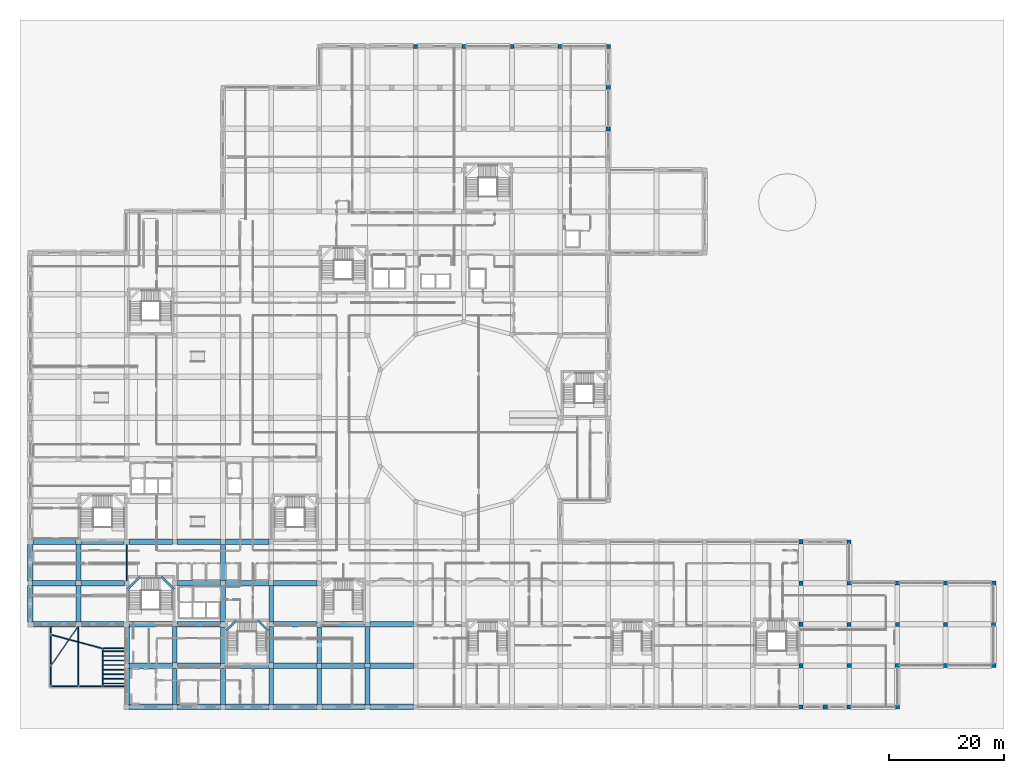
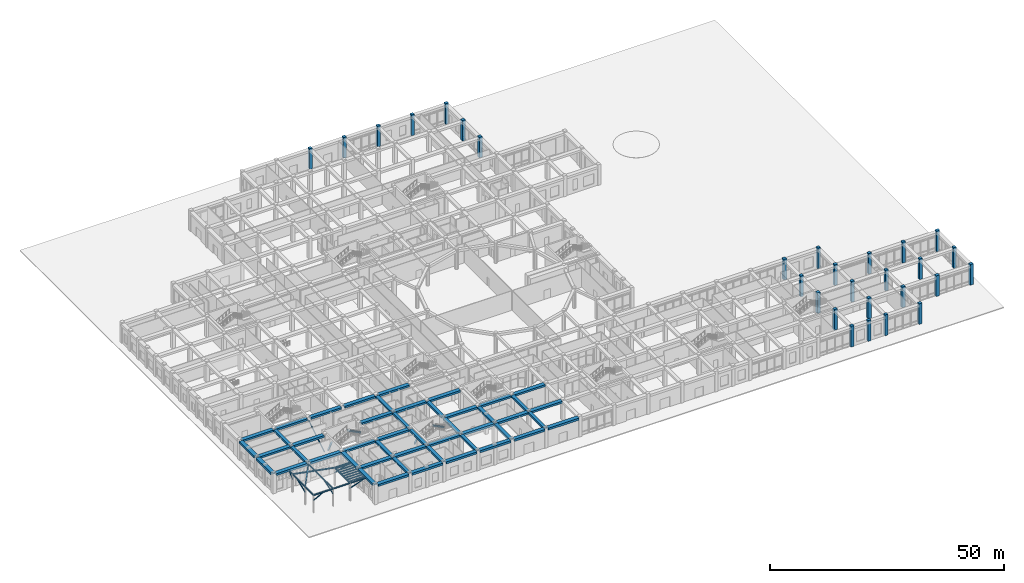
# One storey, part 3 of 84: 70 beams, 28 columns, 7 members.
"""IFC4 building model written with IfcOpenShell, lengths in metres."""

from ifc_helpers import new_model, si_unit, derived_unit, direction, frame, origin, origin_2d, place, context, subcontext, project, spatial, rectangle, hollow_circle, i_section, extrude, material, material_profile, profile_set, type_object, element, save


model = new_model("IFC4")

# Units and contexts
model_context = context("Model", 3, precision=1e-05, world=origin(), true_north=direction((0.0, 1.0)))
body_context = subcontext(model_context, "Body", "Model", "MODEL_VIEW")
ifc_project = project(units=[si_unit("LENGTHUNIT", "METRE"), si_unit("AREAUNIT", "SQUARE_METRE"), si_unit("VOLUMEUNIT", "CUBIC_METRE"), si_unit("PLANEANGLEUNIT", "RADIAN"), si_unit("MASSUNIT", "GRAM", prefix="KILO"), derived_unit("THERMALTRANSMITTANCEUNIT", [(si_unit("POWERUNIT", "WATT"), 1), (si_unit("LENGTHUNIT", "METRE"), -2), (si_unit("THERMODYNAMICTEMPERATUREUNIT", "KELVIN"), -1)])], contexts=[model_context])

# Site, building, storey
site_placement = place(None, origin())
site = spatial("IfcSite", under=ifc_project, at=site_placement, CompositionType="ELEMENT")
building_placement = place(site_placement, origin())
building = spatial("IfcBuilding", under=site, at=building_placement, Name="Veybourne Emporium", CompositionType="ELEMENT")
storey_placement = place(building_placement, origin())
storey = spatial("IfcBuildingStorey", under=building, at=storey_placement, Name="L00", CompositionType="ELEMENT", Elevation=0.0)

# Columns
ifc_material_1 = material(Name="Concrete C40/50", Category="concrete")
ifc_material_profile_1 = material_profile(ifc_material_1, rectangle(XDim=0.75, YDim=0.75, at=origin_2d()), Name="RC 750x750")
ifc_profile_set_1 = profile_set([ifc_material_profile_1], Name="Concrete C40/50")
column_type_1 = type_object("IfcColumnType", Name="Col_C-03", PredefinedType="COLUMN", material=ifc_profile_set_1)
for number, where, z_axis, x_axis, name in (
    (1, (100.800048828125, 100.800048828125, 0.0), (0.0, 0.0, 1.0), (1.0, 0.0, 0.0), "Column C-03 L00 (12,14)"),
    (2, (134.39990234375, 7.199951171875, 0.0), (0.0, 0.0, 1.0), (1.0, 0.0, 0.0), "Column C-03 L00 (16,1)"),
    (3, (134.39990234375, 14.39990234375, 0.0), (0.0, 0.0, 1.0), (1.0, 0.0, 0.0), "Column C-03 L00 (16,2)"),
    (4, (134.39990234375, 21.60009765625, 0.0), (0.0, 0.0, 1.0), (1.0, 0.0, 0.0), "Column C-03 L00 (16,3)"),
    (5, (134.39990234375, 28.800048828125, 0.0), (0.0, 0.0, 1.0), (1.0, 0.0, 0.0), "Column C-03 L00 (16,4)"),
):
    element("IfcColumn", number, at=place(storey_placement, frame(where, z_axis=z_axis, x_axis=x_axis)), inside=storey, type_object=column_type_1, Name=name, PredefinedType="COLUMN", context=body_context, shape_type="SweptSolid", body=[
        extrude(rectangle(XDim=0.75, YDim=0.75, at=origin_2d()), origin(), (0.0, 0.0, 1.0), 5.39990234375),
    ])
ifc_material_profile_2 = material_profile(ifc_material_1, rectangle(XDim=0.699951171875, YDim=0.699951171875, at=origin_2d()), Name="RC 700x700")
ifc_profile_set_2 = profile_set([ifc_material_profile_2], Name="Concrete C40/50")
column_type_2 = type_object("IfcColumnType", Name="Col_C-04", PredefinedType="COLUMN", material=ifc_profile_set_2)
for number, where, z_axis, x_axis, name in (
    (6, (142.800048828125, 14.39990234375, 0.0), (0.0, 0.0, 1.0), (1.0, 0.0, 0.0), "Column C-04 L00 (17,2)"),
    (7, (142.800048828125, 28.800048828125, 0.0), (0.0, 0.0, 1.0), (1.0, 0.0, 0.0), "Column C-04 L00 (17,4)"),
    (8, (151.199951171875, 14.39990234375, 0.0), (0.0, 0.0, 1.0), (1.0, 0.0, 0.0), "Column C-04 L00 (18,2)"),
    (9, (159.60009765625, 14.39990234375, 0.0), (0.0, 0.0, 1.0), (1.0, 0.0, 0.0), "Column C-04 L00 (19,2)"),
):
    element("IfcColumn", number, at=place(storey_placement, frame(where, z_axis=z_axis, x_axis=x_axis)), inside=storey, type_object=column_type_2, Name=name, PredefinedType="COLUMN", context=body_context, shape_type="SweptSolid", body=[
        extrude(rectangle(XDim=0.699951171875, YDim=0.699951171875, at=origin_2d()), origin(), (0.0, 0.0, 1.0), 5.39990234375),
    ])
ifc_material_profile_3 = material_profile(ifc_material_1, rectangle(XDim=0.780029296875, YDim=0.719970703125, at=origin_2d()), Name="RC 780x720")
ifc_profile_set_3 = profile_set([ifc_material_profile_3], Name="Concrete C40/50")
column_type_3 = type_object("IfcColumnType", Name="Col_C-11", PredefinedType="PILASTER", material=ifc_profile_set_3)
for number, where, z_axis, x_axis, name in (
    (10, (100.800048828125, 108.0, 0.0), (0.0, 0.0, 1.0), (1.0, 0.0, 0.0), "Column C-11 L00 (12,15)"),
    (11, (142.800048828125, 7.199951171875, 0.0), (0.0, 0.0, 1.0), (1.0, 0.0, 0.0), "Column C-11 L00 (17,1)"),
    (12, (142.800048828125, 21.60009765625, 0.0), (0.0, 0.0, 1.0), (1.0, 0.0, 0.0), "Column C-11 L00 (17,3)"),
    (13, (151.199951171875, 7.199951171875, 0.0), (0.0, 0.0, 1.0), (1.0, 0.0, 0.0), "Column C-11 L00 (18,1)"),
    (14, (151.199951171875, 21.60009765625, 0.0), (0.0, 0.0, 1.0), (1.0, 0.0, 0.0), "Column C-11 L00 (18,3)"),
    (15, (159.60009765625, 7.199951171875, 0.0), (0.0, 0.0, 1.0), (1.0, 0.0, 0.0), "Column C-11 L00 (19,1)"),
    (16, (159.60009765625, 21.60009765625, 0.0), (0.0, 0.0, 1.0), (1.0, 0.0, 0.0), "Column C-11 L00 (19,3)"),
):
    element("IfcColumn", number, at=place(storey_placement, frame(where, z_axis=z_axis, x_axis=x_axis)), inside=storey, type_object=column_type_3, Name=name, PredefinedType="PILASTER", context=body_context, shape_type="SweptSolid", body=[
        extrude(rectangle(XDim=0.780029296875, YDim=0.719970703125, at=origin_2d()), origin(), (0.0, 0.0, 1.0), 5.39990234375),
    ])
ifc_material_profile_4 = material_profile(ifc_material_1, rectangle(XDim=0.75, YDim=0.75, at=origin_2d()), Name="RC 750x750")
ifc_profile_set_4 = profile_set([ifc_material_profile_4], Name="Concrete C40/50")
column_type_4 = type_object("IfcColumnType", Name="Col_CE-03", PredefinedType="COLUMN", material=ifc_profile_set_4)
column_placement = place(storey_placement, frame((134.39990234375, 0.0, 0.0), z_axis=(0.0, 0.0, 1.0), x_axis=(1.0, 0.0, 0.0)))
element("IfcColumn", 17, at=column_placement, inside=storey, type_object=column_type_4, Name="Column CE-03 L00 (16,0)", PredefinedType="COLUMN", context=body_context, shape_type="SweptSolid", body=[
    extrude(rectangle(XDim=0.75, YDim=0.75, at=origin_2d()), origin(), (0.0, 0.0, 1.0), 5.39990234375),
])
ifc_material_profile_5 = material_profile(ifc_material_1, rectangle(XDim=0.699951171875, YDim=0.699951171875, at=origin_2d()), Name="RC 700x700")
ifc_profile_set_5 = profile_set([ifc_material_profile_5], Name="Concrete C40/50")
column_type_5 = type_object("IfcColumnType", Name="Col_CE-04", PredefinedType="COLUMN", material=ifc_profile_set_5)
for number, where, z_axis, x_axis, name in (
    (18, (67.199951171875, 115.199951171875, 0.0), (0.0, 0.0, 1.0), (1.0, 0.0, 0.0), "Column CE-04 L00 (8,16)"),
    (19, (75.60009765625, 115.199951171875, 0.0), (0.0, 0.0, 1.0), (1.0, 0.0, 0.0), "Column CE-04 L00 (9,16)"),
    (20, (84.0, 115.199951171875, 0.0), (0.0, 0.0, 1.0), (1.0, 0.0, 0.0), "Column CE-04 L00 (10,16)"),
    (21, (92.39990234375, 115.199951171875, 0.0), (0.0, 0.0, 1.0), (1.0, 0.0, 0.0), "Column CE-04 L00 (11,16)"),
    (22, (100.800048828125, 115.199951171875, 0.0), (0.0, 0.0, 1.0), (1.0, 0.0, 0.0), "Column CE-04 L00 (12,16)"),
    (23, (142.800048828125, 0.0, 0.0), (0.0, 0.0, 1.0), (1.0, 0.0, 0.0), "Column CE-04 L00 (17,0)"),
    (24, (151.199951171875, 0.0, 0.0), (0.0, 0.0, 1.0), (1.0, 0.0, 0.0), "Column CE-04 L00 (18,0)"),
    (25, (168.0, 14.39990234375, 0.0), (0.0, 0.0, 1.0), (1.0, 0.0, 0.0), "Column CE-04 L00 (20,2)"),
):
    element("IfcColumn", number, at=place(storey_placement, frame(where, z_axis=z_axis, x_axis=x_axis)), inside=storey, type_object=column_type_5, Name=name, PredefinedType="COLUMN", context=body_context, shape_type="SweptSolid", body=[
        extrude(rectangle(XDim=0.699951171875, YDim=0.699951171875, at=origin_2d()), origin(), (0.0, 0.0, 1.0), 5.39990234375),
    ])
ifc_material_profile_6 = material_profile(ifc_material_1, rectangle(XDim=0.780029296875, YDim=0.719970703125, at=origin_2d()), Name="RC 780x720")
ifc_profile_set_6 = profile_set([ifc_material_profile_6], Name="Concrete C40/50")
column_type_6 = type_object("IfcColumnType", Name="Col_CE-11", PredefinedType="PILASTER", material=ifc_profile_set_6)
for number, where, z_axis, x_axis, name in (
    (26, (168.0, 7.199951171875, 0.0), (0.0, 0.0, 1.0), (1.0, 0.0, 0.0), "Column CE-11 L00 (20,1)"),
    (27, (168.0, 21.60009765625, 0.0), (0.0, 0.0, 1.0), (1.0, 0.0, 0.0), "Column CE-11 L00 (20,3)"),
    (28, (138.60009765625, 0.0, 0.0), (0.0, 0.0, 1.0), (1.0, 0.0, 0.0), "Fluted stone pilaster CE-11 L00-17"),
):
    element("IfcColumn", number, at=place(storey_placement, frame(where, z_axis=z_axis, x_axis=x_axis)), inside=storey, type_object=column_type_6, Name=name, PredefinedType="PILASTER", context=body_context, shape_type="SweptSolid", body=[
        extrude(rectangle(XDim=0.780029296875, YDim=0.719970703125, at=origin_2d()), origin(), (0.0, 0.0, 1.0), 5.39990234375),
    ])

# Beams
ifc_material_2 = material(Name="Concrete C32/40", Category="concrete")
ifc_material_profile_7 = material_profile(ifc_material_2, rectangle(XDim=0.35009765625, YDim=0.35009765625, at=origin_2d()), Name="RC 350x350")
ifc_profile_set_7 = profile_set([ifc_material_profile_7], Name="Concrete C32/40")
beam_type_1 = type_object("IfcBeamType", Name="LandingBeam_LB-01", PredefinedType="BEAM", material=ifc_profile_set_7)
for number, where, z_axis, x_axis, name in (
    (29, (16.949951171875, 20.52001953125, 1.425048828125), (0.707106781187, 0.707106781187, 0.0), (-0.707106781187, 0.707106781187, 0.0), "L00 ST-01 landing 1 support beam"),
    (30, (22.8701171875, 22.699951171875, 3.22509765625), (0.707106781187, -0.707106781187, 0.0), (0.707106781187, 0.707106781187, 0.0), "L00 ST-01 landing 2 support beam"),
):
    element("IfcBeam", number, at=place(storey_placement, frame(where, z_axis=z_axis, x_axis=x_axis)), inside=storey, type_object=beam_type_1, Name=name, PredefinedType="BEAM", context=body_context, shape_type="SweptSolid", body=[
        extrude(rectangle(XDim=0.35009765625, YDim=0.35009765625, at=origin_2d()), origin(), (0.0, 0.0, 1.0), 3.0830078125),
    ])
for number, where, z_axis, x_axis, name in (
    (31, (34.14990234375, 13.320068359375, 1.445068359375), (0.707106781187, 0.707106781187, 0.0), (-0.707106781187, 0.707106781187, 0.0), "L00 ST-12 landing 1 support beam"),
    (32, (39.669921875, 15.10009765625, 3.2451171875), (0.707106781187, -0.707106781187, 0.0), (0.707106781187, 0.707106781187, 0.0), "L00 ST-12 landing 2 support beam"),
):
    element("IfcBeam", number, at=place(storey_placement, frame(where, z_axis=z_axis, x_axis=x_axis)), inside=storey, type_object=beam_type_1, Name=name, PredefinedType="BEAM", context=body_context, shape_type="SweptSolid", body=[
        extrude(rectangle(XDim=0.35009765625, YDim=0.35009765625, at=origin_2d()), origin(), (0.0, 0.0, 1.0), 2.517333984375),
    ])
ifc_material_profile_8 = material_profile(ifc_material_2, rectangle(XDim=0.949951171875, YDim=0.5, at=origin_2d()), Name="RC 950x500")
ifc_profile_set_8 = profile_set([ifc_material_profile_8], Name="Concrete C32/40")
beam_type_2 = type_object("IfcBeamType", Name="RCBeam_BB-01", PredefinedType="BEAM", material=ifc_profile_set_8)
beam_1_placement = place(storey_placement, frame((0.39990234375, 21.60009765625, 4.830078125), z_axis=(1.0, 0.0, 0.0), x_axis=(0.0, 1.0, 0.0)))
element("IfcBeam", 33, at=beam_1_placement, inside=storey, type_object=beam_type_2, Name="L00 X-grid beam BB-01 (0,3)", PredefinedType="BEAM", context=body_context, shape_type="SweptSolid", body=[
    extrude(rectangle(XDim=0.949951171875, YDim=0.5, at=origin_2d()), origin(), (0.0, 0.0, 1.0), 7.5751953125),
])
for number, where, z_axis, x_axis, name in (
    (34, (0.425048828125, 28.800048828125, 4.830078125), (1.0, 0.0, 0.0), (0.0, 1.0, 0.0), "L00 X-grid beam BB-01 (0,4)"),
    (35, (8.824951171875, 21.60009765625, 4.830078125), (1.0, 0.0, 0.0), (0.0, 1.0, 0.0), "L00 X-grid beam BB-01 (1,3)"),
    (36, (8.800048828125, 28.800048828125, 4.830078125), (1.0, 0.0, 0.0), (0.0, 1.0, 0.0), "L00 X-grid beam BB-01 (1,4)"),
    (37, (17.199951171875, 7.199951171875, 4.830078125), (1.0, 0.0, 0.0), (0.0, 1.0, 0.0), "L00 X-grid beam BB-01 (2,1)"),
    (38, (17.22509765625, 14.39990234375, 4.830078125), (1.0, 0.0, 0.0), (0.0, 1.0, 0.0), "L00 X-grid beam BB-01 (2,2)"),
    (39, (17.22509765625, 28.800048828125, 4.830078125), (1.0, 0.0, 0.0), (0.0, 1.0, 0.0), "L00 X-grid beam BB-01 (2,4)"),
    (40, (25.625, 7.199951171875, 4.830078125), (1.0, 0.0, 0.0), (0.0, 1.0, 0.0), "L00 X-grid beam BB-01 (3,1)"),
    (41, (25.60009765625, 14.39990234375, 4.830078125), (1.0, 0.0, 0.0), (0.0, 1.0, 0.0), "L00 X-grid beam BB-01 (3,2)"),
    (42, (25.625, 21.60009765625, 4.830078125), (1.0, 0.0, 0.0), (0.0, 1.0, 0.0), "L00 X-grid beam BB-01 (3,3)"),
    (43, (25.60009765625, 28.800048828125, 4.830078125), (1.0, 0.0, 0.0), (0.0, 1.0, 0.0), "L00 X-grid beam BB-01 (3,4)"),
    (44, (34.0, 7.199951171875, 4.830078125), (1.0, 0.0, 0.0), (0.0, 1.0, 0.0), "L00 X-grid beam BB-01 (4,1)"),
    (45, (34.0, 21.60009765625, 4.830078125), (1.0, 0.0, 0.0), (0.0, 1.0, 0.0), "L00 X-grid beam BB-01 (4,3)"),
):
    element("IfcBeam", number, at=place(storey_placement, frame(where, z_axis=z_axis, x_axis=x_axis)), inside=storey, type_object=beam_type_2, Name=name, PredefinedType="BEAM", context=body_context, shape_type="SweptSolid", body=[
        extrude(rectangle(XDim=0.949951171875, YDim=0.5, at=origin_2d()), origin(), (0.0, 0.0, 1.0), 7.574951171875),
    ])
beam_2_placement = place(storey_placement, frame((34.02490234375, 28.800048828125, 4.830078125), z_axis=(1.0, 0.0, 0.0), x_axis=(0.0, 1.0, 0.0)))
element("IfcBeam", 46, at=beam_2_placement, inside=storey, type_object=beam_type_2, Name="L00 X-grid beam BB-01 (4,4)", PredefinedType="BEAM", context=body_context, shape_type="SweptSolid", body=[
    extrude(rectangle(XDim=0.949951171875, YDim=0.5, at=origin_2d()), origin(), (0.0, 0.0, 1.0), 7.5751953125),
])
beam_3_placement = place(storey_placement, frame((42.425048828125, 7.199951171875, 4.830078125), z_axis=(1.0, 0.0, 0.0), x_axis=(0.0, 1.0, 0.0)))
element("IfcBeam", 47, at=beam_3_placement, inside=storey, type_object=beam_type_2, Name="L00 X-grid beam BB-01 (5,1)", PredefinedType="BEAM", context=body_context, shape_type="SweptSolid", body=[
    extrude(rectangle(XDim=0.949951171875, YDim=0.5, at=origin_2d()), origin(), (0.0, 0.0, 1.0), 7.574951171875),
])
beam_4_placement = place(storey_placement, frame((42.39990234375, 14.39990234375, 4.830078125), z_axis=(1.0, 0.0, 0.0), x_axis=(0.0, 1.0, 0.0)))
element("IfcBeam", 48, at=beam_4_placement, inside=storey, type_object=beam_type_2, Name="L00 X-grid beam BB-01 (5,2)", PredefinedType="BEAM", context=body_context, shape_type="SweptSolid", body=[
    extrude(rectangle(XDim=0.949951171875, YDim=0.5, at=origin_2d()), origin(), (0.0, 0.0, 1.0), 7.5751953125),
])
beam_5_placement = place(storey_placement, frame((42.425048828125, 21.60009765625, 4.830078125), z_axis=(1.0, 0.0, 0.0), x_axis=(0.0, 1.0, 0.0)))
element("IfcBeam", 49, at=beam_5_placement, inside=storey, type_object=beam_type_2, Name="L00 X-grid beam BB-01 (5,3)", PredefinedType="BEAM", context=body_context, shape_type="SweptSolid", body=[
    extrude(rectangle(XDim=0.949951171875, YDim=0.5, at=origin_2d()), origin(), (0.0, 0.0, 1.0), 7.574951171875),
])
beam_6_placement = place(storey_placement, frame((50.800048828125, 7.199951171875, 4.830078125), z_axis=(1.0, 0.0, 0.0), x_axis=(0.0, 1.0, 0.0)))
element("IfcBeam", 50, at=beam_6_placement, inside=storey, type_object=beam_type_2, Name="L00 X-grid beam BB-01 (6,1)", PredefinedType="BEAM", context=body_context, shape_type="SweptSolid", body=[
    extrude(rectangle(XDim=0.949951171875, YDim=0.5, at=origin_2d()), origin(), (0.0, 0.0, 1.0), 7.599853515625),
])
beam_7_placement = place(storey_placement, frame((50.824951171875, 14.39990234375, 4.830078125), z_axis=(1.0, 0.0, 0.0), x_axis=(0.0, 1.0, 0.0)))
element("IfcBeam", 51, at=beam_7_placement, inside=storey, type_object=beam_type_2, Name="L00 X-grid beam BB-01 (6,2)", PredefinedType="BEAM", context=body_context, shape_type="SweptSolid", body=[
    extrude(rectangle(XDim=0.949951171875, YDim=0.5, at=origin_2d()), origin(), (0.0, 0.0, 1.0), 7.574951171875),
])
for number, where, z_axis, x_axis, name in (
    (52, (59.199951171875, 7.199951171875, 4.830078125), (1.0, 0.0, 0.0), (0.0, 1.0, 0.0), "L00 X-grid beam BB-01 (7,1)"),
    (53, (59.199951171875, 14.39990234375, 4.830078125), (1.0, 0.0, 0.0), (0.0, 1.0, 0.0), "L00 X-grid beam BB-01 (7,2)"),
):
    element("IfcBeam", number, at=place(storey_placement, frame(where, z_axis=z_axis, x_axis=x_axis)), inside=storey, type_object=beam_type_2, Name=name, PredefinedType="BEAM", context=body_context, shape_type="SweptSolid", body=[
        extrude(rectangle(XDim=0.949951171875, YDim=0.5, at=origin_2d()), origin(), (0.0, 0.0, 1.0), 7.625),
    ])
ifc_material_profile_9 = material_profile(ifc_material_2, rectangle(XDim=0.800048828125, YDim=0.5, at=origin_2d()), Name="RC 800x500")
ifc_profile_set_9 = profile_set([ifc_material_profile_9], Name="Concrete C32/40")
beam_type_3 = type_object("IfcBeamType", Name="RCBeam_BB-02", PredefinedType="BEAM", material=ifc_profile_set_9)
for number, where, z_axis, x_axis, name in (
    (54, (8.39990234375, 14.800048828125, 4.830078125), (0.0, 1.0, 0.0), (-1.0, 0.0, 0.0), "L00 Y-grid beam BB-02 (1,2)"),
    (55, (8.39990234375, 22.02490234375, 4.830078125), (0.0, 1.0, 0.0), (-1.0, 0.0, 0.0), "L00 Y-grid beam BB-02 (1,3)"),
    (56, (25.199951171875, 0.39990234375, 4.830078125), (0.0, 1.0, 0.0), (-1.0, 0.0, 0.0), "L00 Y-grid beam BB-02 (3,0)"),
    (57, (25.199951171875, 7.625, 4.830078125), (0.0, 1.0, 0.0), (-1.0, 0.0, 0.0), "L00 Y-grid beam BB-02 (3,1)"),
    (58, (33.60009765625, 0.425048828125, 4.830078125), (0.0, 1.0, 0.0), (-1.0, 0.0, 0.0), "L00 Y-grid beam BB-02 (4,0)"),
    (59, (33.60009765625, 7.60009765625, 4.830078125), (0.0, 1.0, 0.0), (-1.0, 0.0, 0.0), "L00 Y-grid beam BB-02 (4,1)"),
    (60, (33.60009765625, 14.824951171875, 4.830078125), (0.0, 1.0, 0.0), (-1.0, 0.0, 0.0), "L00 Y-grid beam BB-02 (4,2)"),
    (61, (33.60009765625, 22.0, 4.830078125), (0.0, 1.0, 0.0), (-1.0, 0.0, 0.0), "L00 Y-grid beam BB-02 (4,3)"),
    (62, (42.0, 0.39990234375, 4.830078125), (0.0, 1.0, 0.0), (-1.0, 0.0, 0.0), "L00 Y-grid beam BB-02 (5,0)"),
    (63, (42.0, 7.625, 4.830078125), (0.0, 1.0, 0.0), (-1.0, 0.0, 0.0), "L00 Y-grid beam BB-02 (5,1)"),
    (64, (42.0, 14.800048828125, 4.830078125), (0.0, 1.0, 0.0), (-1.0, 0.0, 0.0), "L00 Y-grid beam BB-02 (5,2)"),
    (65, (50.39990234375, 0.425048828125, 4.830078125), (0.0, 1.0, 0.0), (-1.0, 0.0, 0.0), "L00 Y-grid beam BB-02 (6,0)"),
    (66, (50.39990234375, 7.60009765625, 4.830078125), (0.0, 1.0, 0.0), (-1.0, 0.0, 0.0), "L00 Y-grid beam BB-02 (6,1)"),
):
    element("IfcBeam", number, at=place(storey_placement, frame(where, z_axis=z_axis, x_axis=x_axis)), inside=storey, type_object=beam_type_3, Name=name, PredefinedType="BEAM", context=body_context, shape_type="SweptSolid", body=[
        extrude(rectangle(XDim=0.800048828125, YDim=0.5, at=origin_2d()), origin(), (0.0, 0.0, 1.0), 6.375),
    ])
for number, where, z_axis, x_axis, name in (
    (67, (58.800048828125, 0.35009765625, 4.830078125), (0.0, 1.0, 0.0), (-1.0, 0.0, 0.0), "L00 Y-grid beam BB-02 (7,0)"),
    (68, (58.800048828125, 7.550048828125, 4.830078125), (0.0, 1.0, 0.0), (-1.0, 0.0, 0.0), "L00 Y-grid beam BB-02 (7,1)"),
):
    element("IfcBeam", number, at=place(storey_placement, frame(where, z_axis=z_axis, x_axis=x_axis)), inside=storey, type_object=beam_type_3, Name=name, PredefinedType="BEAM", context=body_context, shape_type="SweptSolid", body=[
        extrude(rectangle(XDim=0.800048828125, YDim=0.5, at=origin_2d()), origin(), (0.0, 0.0, 1.0), 6.5),
    ])
ifc_material_profile_10 = material_profile(ifc_material_2, rectangle(XDim=0.949951171875, YDim=0.550048828125, at=origin_2d()), Name="RC 950x550")
ifc_profile_set_10 = profile_set([ifc_material_profile_10], Name="Concrete C32/40")
beam_type_4 = type_object("IfcBeamType", Name="RCBeam_EB-01", PredefinedType="SPANDREL", material=ifc_profile_set_10)
for number, where, z_axis, x_axis, name in (
    (69, (0.425048828125, 14.39990234375, 4.804931640625), (1.0, 0.0, 0.0), (0.0, 1.0, 0.0), "L00 X-grid beam EB-01 (0,2)"),
    (70, (8.800048828125, 14.39990234375, 4.804931640625), (1.0, 0.0, 0.0), (0.0, 1.0, 0.0), "L00 X-grid beam EB-01 (1,2)"),
    (71, (17.22509765625, 0.0, 4.804931640625), (1.0, 0.0, 0.0), (0.0, 1.0, 0.0), "L00 X-grid beam EB-01 (2,0)"),
    (72, (25.60009765625, 0.0, 4.804931640625), (1.0, 0.0, 0.0), (0.0, 1.0, 0.0), "L00 X-grid beam EB-01 (3,0)"),
):
    element("IfcBeam", number, at=place(storey_placement, frame(where, z_axis=z_axis, x_axis=x_axis)), inside=storey, type_object=beam_type_4, Name=name, PredefinedType="SPANDREL", context=body_context, shape_type="SweptSolid", body=[
        extrude(rectangle(XDim=0.949951171875, YDim=0.550048828125, at=origin_2d()), origin(), (0.0, 0.0, 1.0), 7.574951171875),
    ])
for number, where, z_axis, x_axis, name in (
    (73, (34.02490234375, 0.0, 4.804931640625), (1.0, 0.0, 0.0), (0.0, 1.0, 0.0), "L00 X-grid beam EB-01 (4,0)"),
    (74, (42.39990234375, 0.0, 4.804931640625), (1.0, 0.0, 0.0), (0.0, 1.0, 0.0), "L00 X-grid beam EB-01 (5,0)"),
):
    element("IfcBeam", number, at=place(storey_placement, frame(where, z_axis=z_axis, x_axis=x_axis)), inside=storey, type_object=beam_type_4, Name=name, PredefinedType="SPANDREL", context=body_context, shape_type="SweptSolid", body=[
        extrude(rectangle(XDim=0.949951171875, YDim=0.550048828125, at=origin_2d()), origin(), (0.0, 0.0, 1.0), 7.5751953125),
    ])
beam_8_placement = place(storey_placement, frame((50.824951171875, 0.0, 4.804931640625), z_axis=(1.0, 0.0, 0.0), x_axis=(0.0, 1.0, 0.0)))
element("IfcBeam", 75, at=beam_8_placement, inside=storey, type_object=beam_type_4, Name="L00 X-grid beam EB-01 (6,0)", PredefinedType="SPANDREL", context=body_context, shape_type="SweptSolid", body=[
    extrude(rectangle(XDim=0.949951171875, YDim=0.550048828125, at=origin_2d()), origin(), (0.0, 0.0, 1.0), 7.574951171875),
])
beam_9_placement = place(storey_placement, frame((59.199951171875, 0.0, 4.804931640625), z_axis=(1.0, 0.0, 0.0), x_axis=(0.0, 1.0, 0.0)))
element("IfcBeam", 76, at=beam_9_placement, inside=storey, type_object=beam_type_4, Name="L00 X-grid beam EB-01 (7,0)", PredefinedType="SPANDREL", context=body_context, shape_type="SweptSolid", body=[
    extrude(rectangle(XDim=0.949951171875, YDim=0.550048828125, at=origin_2d()), origin(), (0.0, 0.0, 1.0), 7.625),
])
for number, where, z_axis, x_axis, name in (
    (77, (0.0, 14.824951171875, 4.804931640625), (0.0, 1.0, 0.0), (-1.0, 0.0, 0.0), "L00 Y-grid beam EB-01 (0,2)"),
    (78, (0.0, 22.0, 4.804931640625), (0.0, 1.0, 0.0), (-1.0, 0.0, 0.0), "L00 Y-grid beam EB-01 (0,3)"),
    (79, (16.800048828125, 0.425048828125, 4.804931640625), (0.0, 1.0, 0.0), (-1.0, 0.0, 0.0), "L00 Y-grid beam EB-01 (2,0)"),
    (80, (16.800048828125, 7.60009765625, 4.804931640625), (0.0, 1.0, 0.0), (-1.0, 0.0, 0.0), "L00 Y-grid beam EB-01 (2,1)"),
):
    element("IfcBeam", number, at=place(storey_placement, frame(where, z_axis=z_axis, x_axis=x_axis)), inside=storey, type_object=beam_type_4, Name=name, PredefinedType="SPANDREL", context=body_context, shape_type="SweptSolid", body=[
        extrude(rectangle(XDim=0.949951171875, YDim=0.550048828125, at=origin_2d()), origin(), (0.0, 0.0, 1.0), 6.375),
    ])
ifc_material_3 = material(Name="Steel S355", Category="steel")
ifc_material_profile_11 = material_profile(ifc_material_3, i_section(OverallWidth=0.17138671875, OverallDepth=0.35498046875, WebThickness=0.00732421875, FlangeThickness=0.011474609375, FilletRadius=0.01025390625, at=origin_2d()), Name="UKB 356x171x51")
ifc_profile_set_11 = profile_set([ifc_material_profile_11], Name="Steel S355")
beam_type_5 = type_object("IfcBeamType", Name="SteelBeam_CN-01", PredefinedType="BEAM", material=ifc_profile_set_11)
for number, where, z_axis, x_axis, name in (
    (81, (12.60009765625, 3.60009765625, 4.64208984375), (1.0, 0.0, 0.0), (0.0, 1.0, 0.0), "Entrance canopy beam CNB-01"),
    (82, (12.60009765625, 10.199951171875, 4.64208984375), (1.0, 0.0, 0.0), (0.0, 1.0, 0.0), "Entrance canopy beam CNB-02"),
):
    element("IfcBeam", number, at=place(storey_placement, frame(where, z_axis=z_axis, x_axis=x_axis)), inside=storey, type_object=beam_type_5, Name=name, PredefinedType="BEAM", context=body_context, shape_type="SweptSolid", body=[
        extrude(i_section(OverallWidth=0.17138671875, OverallDepth=0.35498046875, WebThickness=0.00732421875, FlangeThickness=0.011474609375, FilletRadius=0.01025390625, at=origin_2d()), origin(), (0.0, 0.0, 1.0), 3.949951171875),
    ])
beam_10_placement = place(storey_placement, frame((12.60009765625, 3.60009765625, 4.64208984375), z_axis=(0.0, 1.0, 0.0), x_axis=(-1.0, 0.0, 0.0)))
element("IfcBeam", 83, at=beam_10_placement, inside=storey, type_object=beam_type_5, Name="Entrance canopy beam CNB-03", PredefinedType="BEAM", context=body_context, shape_type="SweptSolid", body=[
    extrude(i_section(OverallWidth=0.17138671875, OverallDepth=0.35498046875, WebThickness=0.00732421875, FlangeThickness=0.011474609375, FilletRadius=0.01025390625, at=origin_2d()), origin(), (0.0, 0.0, 1.0), 6.599853515625),
])
beam_11_placement = place(storey_placement, frame((3.60009765625, 7.199951171875, 4.64208984375), z_axis=(0.0, 1.0, 0.0), x_axis=(-1.0, 0.0, 0.0)))
element("IfcBeam", 84, at=beam_11_placement, inside=storey, type_object=beam_type_5, Name="Entrance canopy beam CNB-04", PredefinedType="BEAM", context=body_context, shape_type="SweptSolid", body=[
    extrude(i_section(OverallWidth=0.17138671875, OverallDepth=0.35498046875, WebThickness=0.00732421875, FlangeThickness=0.011474609375, FilletRadius=0.01025390625, at=origin_2d()), origin(), (0.0, 0.0, 1.0), 6.949951171875),
])
beam_12_placement = place(storey_placement, frame((3.60009765625, 12.60009765625, 4.64208984375), z_axis=(0.966231024199, -0.25767733287, 0.0), x_axis=(0.25767733287, 0.966231024199, 0.0)))
element("IfcBeam", 85, at=beam_12_placement, inside=storey, type_object=beam_type_5, Name="Entrance canopy beam CNB-05", PredefinedType="BEAM", context=body_context, shape_type="SweptSolid", body=[
    extrude(i_section(OverallWidth=0.17138671875, OverallDepth=0.35498046875, WebThickness=0.00732421875, FlangeThickness=0.011474609375, FilletRadius=0.01025390625, at=origin_2d()), origin(), (0.0, 0.0, 1.0), 9.314453125),
])
beam_13_placement = place(storey_placement, frame((3.60009765625, 7.199951171875, 4.64208984375), z_axis=(0.568273201795, 0.822839940767, 0.0), x_axis=(-0.822839940767, 0.568273201795, 0.0)))
element("IfcBeam", 86, at=beam_13_placement, inside=storey, type_object=beam_type_5, Name="Entrance canopy beam CNB-06", PredefinedType="BEAM", context=body_context, shape_type="SweptSolid", body=[
    extrude(i_section(OverallWidth=0.17138671875, OverallDepth=0.35498046875, WebThickness=0.00732421875, FlangeThickness=0.011474609375, FilletRadius=0.01025390625, at=origin_2d()), origin(), (0.0, 0.0, 1.0), 8.4462890625),
])
beam_14_placement = place(storey_placement, frame((3.60009765625, 3.60009765625, 4.64208984375), z_axis=(0.0, 1.0, 0.0), x_axis=(-1.0, 0.0, 0.0)))
element("IfcBeam", 87, at=beam_14_placement, inside=storey, type_object=beam_type_5, Name="Entrance canopy beam CNB-07", PredefinedType="BEAM", context=body_context, shape_type="SweptSolid", body=[
    extrude(i_section(OverallWidth=0.17138671875, OverallDepth=0.35498046875, WebThickness=0.00732421875, FlangeThickness=0.011474609375, FilletRadius=0.01025390625, at=origin_2d()), origin(), (0.0, 0.0, 1.0), 3.599853515625),
])
beam_15_placement = place(storey_placement, frame((3.60009765625, 3.60009765625, 4.64208984375), z_axis=(1.0, 0.0, 0.0), x_axis=(0.0, 1.0, 0.0)))
element("IfcBeam", 88, at=beam_15_placement, inside=storey, type_object=beam_type_5, Name="Entrance canopy beam CNB-08", PredefinedType="BEAM", context=body_context, shape_type="SweptSolid", body=[
    extrude(i_section(OverallWidth=0.17138671875, OverallDepth=0.35498046875, WebThickness=0.00732421875, FlangeThickness=0.011474609375, FilletRadius=0.01025390625, at=origin_2d()), origin(), (0.0, 0.0, 1.0), 4.7998046875),
])
beam_16_placement = place(storey_placement, frame((8.39990234375, 3.60009765625, 4.64208984375), z_axis=(1.0, 0.0, 0.0), x_axis=(0.0, 1.0, 0.0)))
element("IfcBeam", 89, at=beam_16_placement, inside=storey, type_object=beam_type_5, Name="Entrance canopy beam CNB-09", PredefinedType="BEAM", context=body_context, shape_type="SweptSolid", body=[
    extrude(i_section(OverallWidth=0.17138671875, OverallDepth=0.35498046875, WebThickness=0.00732421875, FlangeThickness=0.011474609375, FilletRadius=0.01025390625, at=origin_2d()), origin(), (0.0, 0.0, 1.0), 4.2001953125),
])
beam_17_placement = place(storey_placement, frame((8.39990234375, 3.60009765625, 4.64208984375), z_axis=(0.0, 1.0, 0.0), x_axis=(-1.0, 0.0, 0.0)))
element("IfcBeam", 90, at=beam_17_placement, inside=storey, type_object=beam_type_5, Name="Entrance canopy beam CNB-10", PredefinedType="BEAM", context=body_context, shape_type="SweptSolid", body=[
    extrude(i_section(OverallWidth=0.17138671875, OverallDepth=0.35498046875, WebThickness=0.00732421875, FlangeThickness=0.011474609375, FilletRadius=0.01025390625, at=origin_2d()), origin(), (0.0, 0.0, 1.0), 10.5498046875),
])
ifc_material_profile_12 = material_profile(ifc_material_3, i_section(OverallWidth=0.13330078125, OverallDepth=0.203125, WebThickness=0.005615234375, FlangeThickness=0.0078125, FilletRadius=0.007568359375, at=origin_2d()), Name="UKB 203x133x25")
ifc_profile_set_12 = profile_set([ifc_material_profile_12], Name="Steel S355")
beam_type_6 = type_object("IfcBeamType", Name="SteelBeam_CN-02", PredefinedType="JOIST", material=ifc_profile_set_12)
for number, where, z_axis, x_axis, name in (
    (91, (12.60009765625, 4.10009765625, 4.718505859375), (1.0, 0.0, 0.0), (0.0, 1.0, 0.0), "Canopy secondary joist E1"),
    (92, (12.60009765625, 4.89990234375, 4.718505859375), (1.0, 0.0, 0.0), (0.0, 1.0, 0.0), "Canopy secondary joist E2"),
    (93, (12.60009765625, 5.699951171875, 4.718505859375), (1.0, 0.0, 0.0), (0.0, 1.0, 0.0), "Canopy secondary joist E3"),
    (94, (12.60009765625, 6.5, 4.718505859375), (1.0, 0.0, 0.0), (0.0, 1.0, 0.0), "Canopy secondary joist E4"),
    (95, (12.60009765625, 7.300048828125, 4.718505859375), (1.0, 0.0, 0.0), (0.0, 1.0, 0.0), "Canopy secondary joist E5"),
    (96, (12.60009765625, 8.10009765625, 4.718505859375), (1.0, 0.0, 0.0), (0.0, 1.0, 0.0), "Canopy secondary joist E6"),
    (97, (12.60009765625, 8.89990234375, 4.718505859375), (1.0, 0.0, 0.0), (0.0, 1.0, 0.0), "Canopy secondary joist E7"),
    (98, (12.60009765625, 9.699951171875, 4.718505859375), (1.0, 0.0, 0.0), (0.0, 1.0, 0.0), "Canopy secondary joist E8"),
):
    element("IfcBeam", number, at=place(storey_placement, frame(where, z_axis=z_axis, x_axis=x_axis)), inside=storey, type_object=beam_type_6, Name=name, PredefinedType="JOIST", context=body_context, shape_type="SweptSolid", body=[
        extrude(i_section(OverallWidth=0.13330078125, OverallDepth=0.203125, WebThickness=0.005615234375, FlangeThickness=0.0078125, FilletRadius=0.007568359375, at=origin_2d()), origin(), (0.0, 0.0, 1.0), 3.949951171875),
    ])

# Members
ifc_material_profile_13 = material_profile(ifc_material_3, hollow_circle(Radius=0.06982421875, WallThickness=0.00634765625, at=origin_2d()), Name="CHS 139.7x6.3")
ifc_profile_set_13 = profile_set([ifc_material_profile_13], Name="Steel S355")
member_type_1 = type_object("IfcMemberType", Name="SteelMem_CS-01", PredefinedType="STRUT", material=ifc_profile_set_13)
for number, where, z_axis, x_axis, name in (
    (99, (12.60009765625, 3.60009765625, 3.300048828125), (0.945937006672, 0.0, 0.324350396035), (0.0, 1.0, 0.0), "Entrance canopy strut 01"),
    (100, (12.60009765625, 10.199951171875, 3.300048828125), (0.945937006672, 0.0, 0.324350396035), (0.0, 1.0, 0.0), "Entrance canopy strut 02"),
):
    element("IfcMember", number, at=place(storey_placement, frame(where, z_axis=z_axis, x_axis=x_axis)), inside=storey, type_object=member_type_1, Name=name, PredefinedType="STRUT", context=body_context, shape_type="SweptSolid", body=[
        extrude(hollow_circle(Radius=0.06982421875, WallThickness=0.00634765625, at=origin_2d()), origin(), (0.0, 0.0, 1.0), 4.06982421875),
    ])
member_1_placement = place(storey_placement, frame((3.60009765625, 12.60009765625, 3.300048828125), z_axis=(0.0, 0.739449734525, 0.673211772113), x_axis=(-1.0, 0.0, 0.0)))
element("IfcMember", 101, at=member_1_placement, inside=storey, type_object=member_type_1, Name="Entrance canopy strut 03", PredefinedType="STRUT", context=body_context, shape_type="SweptSolid", body=[
    extrude(hollow_circle(Radius=0.06982421875, WallThickness=0.00634765625, at=origin_2d()), origin(), (0.0, 0.0, 1.0), 1.9609375),
])
member_2_placement = place(storey_placement, frame((3.60009765625, 7.199951171875, 3.300048828125), z_axis=(0.0, 0.93887357201, 0.344262132365), x_axis=(-1.0, 0.0, 0.0)))
element("IfcMember", 102, at=member_2_placement, inside=storey, type_object=member_type_1, Name="Entrance canopy strut 04", PredefinedType="STRUT", context=body_context, shape_type="SweptSolid", body=[
    extrude(hollow_circle(Radius=0.06982421875, WallThickness=0.00634765625, at=origin_2d()), origin(), (0.0, 0.0, 1.0), 3.83447265625),
])
member_3_placement = place(storey_placement, frame((3.60009765625, 3.60009765625, 3.300048828125), z_axis=(0.891647009629, 0.0, 0.452731278154), x_axis=(0.0, 1.0, 0.0)))
element("IfcMember", 103, at=member_3_placement, inside=storey, type_object=member_type_1, Name="Entrance canopy strut 05", PredefinedType="STRUT", context=body_context, shape_type="SweptSolid", body=[
    extrude(hollow_circle(Radius=0.06982421875, WallThickness=0.00634765625, at=origin_2d()), origin(), (0.0, 0.0, 1.0), 2.915771484375),
])
member_4_placement = place(storey_placement, frame((8.39990234375, 3.60009765625, 3.300048828125), z_axis=(0.0, 0.944620366781, 0.328165145411), x_axis=(-1.0, 0.0, 0.0)))
element("IfcMember", 104, at=member_4_placement, inside=storey, type_object=member_type_1, Name="Entrance canopy strut 06", PredefinedType="STRUT", context=body_context, shape_type="SweptSolid", body=[
    extrude(hollow_circle(Radius=0.06982421875, WallThickness=0.00634765625, at=origin_2d()), origin(), (0.0, 0.0, 1.0), 4.0224609375),
])
ifc_material_profile_14 = material_profile(ifc_material_3, hollow_circle(Radius=0.084228515625, WallThickness=0.008056640625, at=origin_2d()), Name="CHS 168.3x8.0")
ifc_profile_set_14 = profile_set([ifc_material_profile_14], Name="Steel S355")
member_type_2 = type_object("IfcMemberType", Name="SteelMem_DB-01", PredefinedType="BRACE", material=ifc_profile_set_14)
member_5_placement = place(storey_placement, frame((16.800048828125, 21.820068359375, 0.25), z_axis=(0.0, 0.847717828206, 0.530447437303), x_axis=(-1.0, 0.0, 0.0)))
element("IfcMember", 105, at=member_5_placement, inside=storey, type_object=member_type_2, Name="Internal lateral frame brace DB-01.03 (L00)", PredefinedType="BRACE", context=body_context, shape_type="SweptSolid", body=[
    extrude(hollow_circle(Radius=0.084228515625, WallThickness=0.008056640625, at=origin_2d()), origin(), (0.0, 0.0, 1.0), 7.974365234375),
])

save(model, "model.ifc")
